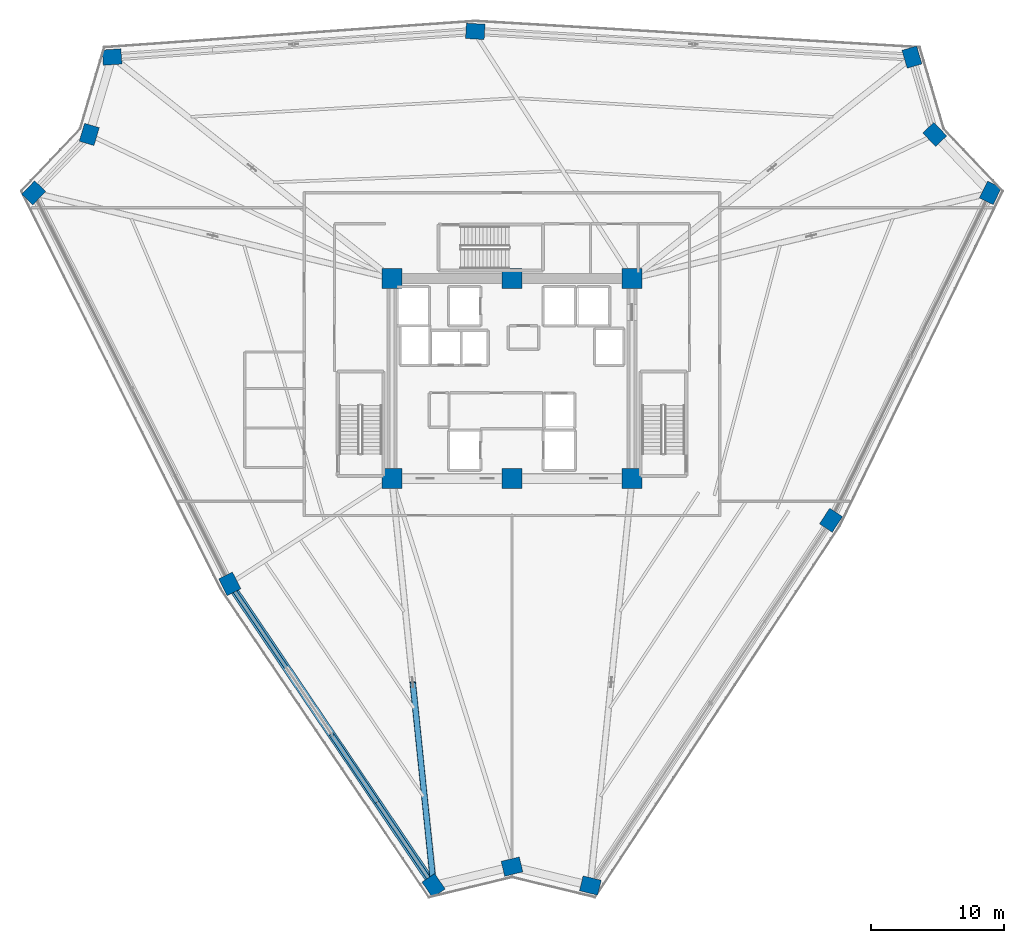
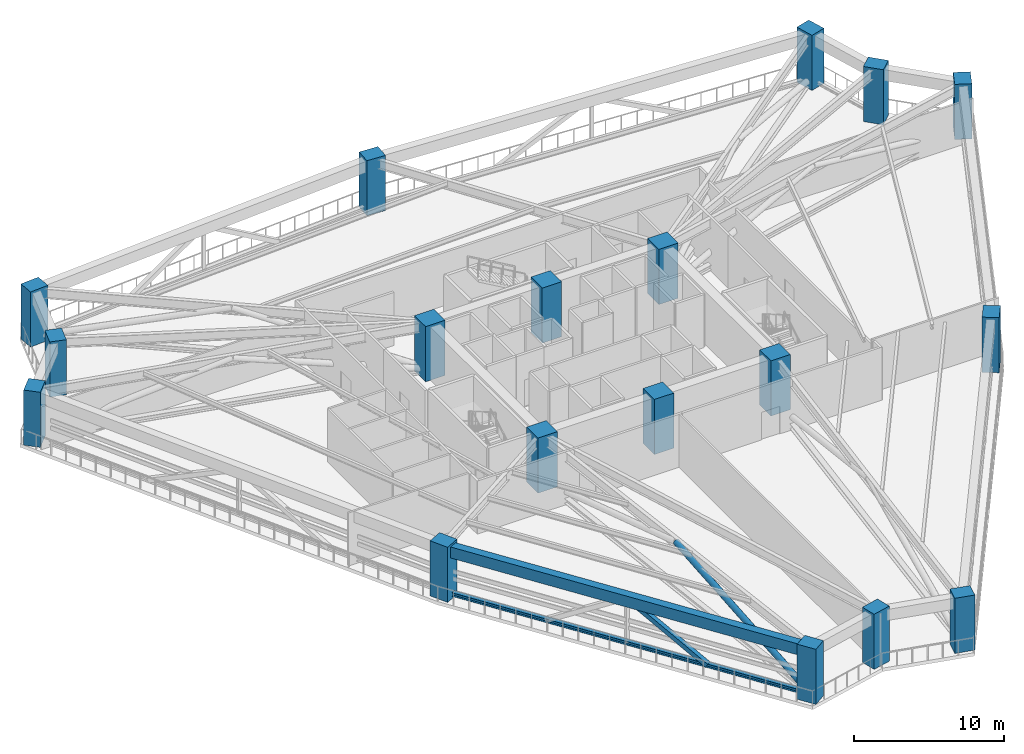
# One storey, part 1 of 23: 18 columns, 3 members, 1 beam.
"""IFC4 building model written with IfcOpenShell, lengths in metres."""

from ifc_helpers import new_model, si_unit, direction, frame, origin, origin_2d, place, context, subcontext, project, spatial, rectangle, hollow_rectangle, hollow_circle, i_section, extrude, source, transform, mapped, material, material_profile, profile_set, type_object, element, save


model = new_model("IFC4")

# Units and contexts
model_context = context("Model", 3, precision=1e-05, world=origin(), true_north=direction((0.0, 1.0)))
body_context = subcontext(model_context, "Body", "Model", "MODEL_VIEW")
ifc_project = project(units=[si_unit("LENGTHUNIT", "METRE"), si_unit("AREAUNIT", "SQUARE_METRE"), si_unit("VOLUMEUNIT", "CUBIC_METRE"), si_unit("PLANEANGLEUNIT", "RADIAN"), si_unit("MASSUNIT", "GRAM", prefix="KILO")], contexts=[model_context])

# Site, building, storey
site_placement = place(None, origin())
site = spatial("IfcSite", under=ifc_project, at=site_placement, CompositionType="ELEMENT")
building_placement = place(site_placement, origin())
building = spatial("IfcBuilding", under=site, at=building_placement, Name="Liaohun Quay Tower", CompositionType="ELEMENT")
storey_placement = place(building_placement, frame((0.0, 0.0, 139.5)))
storey = spatial("IfcBuildingStorey", under=building, at=storey_placement, Name="L36", CompositionType="ELEMENT", Elevation=139.5)

# Columns
ifc_material_1 = material(Name="Concrete C60", Category="concrete")
ifc_material_profile_1 = material_profile(ifc_material_1, rectangle(XDim=1.5, YDim=1.5, at=origin_2d()), Name="RC1500x1500")
ifc_profile_set_1 = profile_set([ifc_material_profile_1], Name="Concrete C60")
column_type_1 = type_object("IfcColumnType", Name="COL-CC-Z2", PredefinedType="COLUMN", material=ifc_profile_set_1)
shared_shape_1 = source(origin(), body_context, "Body", "SweptSolid", [
    extrude(rectangle(XDim=1.5, YDim=1.5, at=origin_2d()), origin(), (0.0, 0.0, 1.0), 4.5),
])
for number, where, z_axis, x_axis, name in (
    (1, (51.0, 46.5, 0.0), (0.0, 0.0, 1.0), (1.0, 0.0, 0.0), "L36 Core Column CC1"),
    (2, (60.0, 46.5, 0.0), (0.0, 0.0, 1.0), (1.0, 0.0, 0.0), "L36 Core Column CC2"),
    (3, (69.0, 46.5, 0.0), (0.0, 0.0, 1.0), (1.0, 0.0, 0.0), "L36 Core Column CC3"),
    (4, (69.0, 61.5, 0.0), (0.0, 0.0, 1.0), (1.0, 0.0, 0.0), "L36 Core Column CC4"),
    (5, (60.0, 61.5, 0.0), (0.0, 0.0, 1.0), (1.0, 0.0, 0.0), "L36 Core Column CC5"),
    (6, (51.0, 61.5, 0.0), (0.0, 0.0, 1.0), (1.0, 0.0, 0.0), "L36 Core Column CC6"),
):
    element("IfcColumn", number, at=place(storey_placement, frame(where, z_axis=z_axis, x_axis=x_axis)), inside=storey, type_object=column_type_1, Name=name, PredefinedType="COLUMN", context=body_context, shape_type="MappedRepresentation", body=[
        mapped(shared_shape_1, transform((0.0, 0.0, 0.0), x_axis=(1.0, 0.0, 0.0), y_axis=(0.0, 1.0, 0.0), z_axis=(0.0, 0.0, 1.0), scale=1.0)),
    ])
ifc_material_profile_2 = material_profile(ifc_material_1, rectangle(XDim=1.39990234375, YDim=1.14990234375, at=origin_2d()), Name="RC1400x1150")
ifc_profile_set_2 = profile_set([ifc_material_profile_2], Name="Concrete C60")
column_type_2 = type_object("IfcColumnType", Name="COL-PIER-Z2", PredefinedType="COLUMN", material=ifc_profile_set_2)
shared_shape_2 = source(origin(), body_context, "Body", "SweptSolid", [
    extrude(rectangle(XDim=1.39990234375, YDim=1.14990234375, at=origin_2d()), origin(), (0.0, 0.0, 1.0), 4.5),
])
for number, where, z_axis, x_axis, name in (
    (7, (54.123046875, 16.014892578125, 0.0), (0.0, 0.0, 1.0), (-0.559771544562, 0.828646980263, 0.0), "L36 Perimeter Pier PC01"),
    (8, (38.85400390625, 38.616943359375, 0.0), (0.0, 0.0, 1.0), (-0.448071179262, 0.893997884961, 0.0), "L36 Perimeter Pier PC02"),
    (9, (24.1708984375, 67.908935546875, 0.0), (0.0, 0.0, 1.0), (0.68936671806, 0.724412539946, 0.0), "L36 Perimeter Pier PC03"),
    (10, (28.3330078125, 72.282958984375, 0.0), (0.0, 0.0, 1.0), (0.282676303383, 0.959215360337, 0.0), "L36 Perimeter Pier PC04"),
    (11, (30.04296875, 78.08203125, 0.0), (0.0, 0.0, 1.0), (0.997515107958, 0.070452887775, 0.0), "L36 Perimeter Pier PC05"),
    (12, (57.25, 80.00390625, 0.0), (0.0, 0.0, 1.0), (-0.998260468937, 0.058957918535, 0.0), "L36 Perimeter Pier PC06"),
    (13, (89.9599609375, 78.074951171875, 0.0), (0.0, 0.0, 1.0), (-0.282676303383, 0.959215360337, 0.0), "L36 Perimeter Pier PC07"),
    (14, (91.6669921875, 72.282958984375, 0.0), (0.0, 0.0, 1.0), (-0.68936671806, 0.724412539946, 0.0), "L36 Perimeter Pier PC08"),
    (15, (95.833984375, 67.903076171875, 0.0), (0.0, 0.0, 1.0), (0.437743563395, 0.899099868038, 0.0), "L36 Perimeter Pier PC09"),
    (16, (83.89501953125, 43.3798828125, 0.0), (0.0, 0.0, 1.0), (0.550043539327, 0.835135979853, 0.0), "L36 Perimeter Pier PC10"),
    (17, (65.8701171875, 16.01708984375, 0.0), (0.0, 0.0, 1.0), (-0.972043021443, 0.234802820391, 0.0), "L36 Perimeter Pier PC11"),
    (18, (60.0, 17.43408203125, 0.0), (0.0, 0.0, 1.0), (0.972043021443, 0.234802820391, 0.0), "L36 Perimeter Pier PC12"),
):
    element("IfcColumn", number, at=place(storey_placement, frame(where, z_axis=z_axis, x_axis=x_axis)), inside=storey, type_object=column_type_2, Name=name, PredefinedType="COLUMN", context=body_context, shape_type="MappedRepresentation", body=[
        mapped(shared_shape_2, transform((0.0, 0.0, 0.0), x_axis=(1.0, 0.0, 0.0), y_axis=(0.0, 1.0, 0.0), z_axis=(0.0, 0.0, 1.0), scale=1.0)),
    ])

# Beam
ifc_material_2 = material(Name="Precast concrete C55", Category="concrete")
ifc_material_profile_3 = material_profile(ifc_material_2, rectangle(XDim=0.60009765625, YDim=0.89990234375, at=origin_2d()), Name="RC600x900")
ifc_profile_set_3 = profile_set([ifc_material_profile_3], Name="Precast concrete C55")
beam_type = type_object("IfcBeamType", Name="BM-SPD-Z2", PredefinedType="SPANDREL", material=ifc_profile_set_3)
shared_shape_3 = source(origin(), body_context, "Body", "SweptSolid", [
    extrude(rectangle(XDim=0.60009765625, YDim=0.89990234375, at=origin_2d()), origin(), (0.0, 0.0, 1.0), 27.2763671875),
])
beam_placement = place(storey_placement, frame((54.123046875, 16.014892578125, 3.8701171875), z_axis=(-0.559791639733, 0.828633405123, 0.0), x_axis=(-0.828633405123, -0.559791639733, 0.0)))
element("IfcBeam", 19, at=beam_placement, inside=storey, type_object=beam_type, Name="L36 Precast Spandrel Beam PC01-PC02", PredefinedType="SPANDREL", context=body_context, shape_type="MappedRepresentation", body=[
    mapped(shared_shape_3, transform((0.0, 0.0, 0.0), x_axis=(1.0, 0.0, 0.0), y_axis=(0.0, 1.0, 0.0), z_axis=(0.0, 0.0, 1.0), scale=1.0)),
])

# Members
ifc_material_3 = material(Name="Steel Q420D", Category="steel")
ifc_material_profile_4 = material_profile(ifc_material_3, hollow_circle(Radius=0.228515625, WallThickness=0.02001953125, at=origin_2d()), Name="CHS457x20")
ifc_profile_set_4 = profile_set([ifc_material_profile_4], Name="Steel Q420D")
member_type_1 = type_object("IfcMemberType", Name="MEM-OUT-DG1", PredefinedType="BRACE", material=ifc_profile_set_4)
shared_shape_4 = source(origin(), body_context, "Body", "SweptSolid", [
    extrude(hollow_circle(Radius=0.228515625, WallThickness=0.02001953125, at=origin_2d()), origin(), (0.0, 0.0, 1.0), 15.75634765625),
])
member_1_placement = place(storey_placement, frame((52.56103515625, 31.258056640625, 4.02001953125), z_axis=(0.099135439752, -0.967430496461, -0.232917150727), x_axis=(0.994790639815, 0.101939113869, 0.0)))
element("IfcMember", 20, at=member_1_placement, inside=storey, type_object=member_type_1, Name="L36 Outrigger Diagonal OD-01B", PredefinedType="BRACE", context=body_context, shape_type="MappedRepresentation", body=[
    mapped(shared_shape_4, transform((0.0, 0.0, 0.0), x_axis=(1.0, 0.0, 0.0), y_axis=(0.0, 1.0, 0.0), z_axis=(0.0, 0.0, 1.0), scale=1.0)),
])
ifc_material_4 = material(Name="Steel Q355D", Category="steel")
ifc_material_profile_5 = material_profile(ifc_material_4, i_section(OverallWidth=0.300048828125, OverallDepth=0.300048828125, WebThickness=0.010009765625, FlangeThickness=0.014892578125, at=origin_2d()), Name="HW300x300x10x15")
ifc_profile_set_5 = profile_set([ifc_material_profile_5], Name="Steel Q355D")
member_type_2 = type_object("IfcMemberType", Name="MEM-BLT-CHD", PredefinedType="CHORD", material=ifc_profile_set_5)
shared_shape_5 = source(origin(), body_context, "Body", "SweptSolid", [
    extrude(i_section(OverallWidth=0.300048828125, OverallDepth=0.300048828125, WebThickness=0.010009765625, FlangeThickness=0.014892578125, at=origin_2d()), origin(), (0.0, 0.0, 1.0), 27.2763671875),
])
member_2_placement = place(storey_placement, frame((54.123046875, 16.014892578125, 0.35009765625), z_axis=(-0.559791639733, 0.828633405123, 0.0), x_axis=(-0.828633405123, -0.559791639733, 0.0)))
element("IfcMember", 21, at=member_2_placement, inside=storey, type_object=member_type_2, Name="L36 Belt Truss Bottom Chord BC-1-01", PredefinedType="CHORD", context=body_context, shape_type="MappedRepresentation", body=[
    mapped(shared_shape_5, transform((0.0, 0.0, 0.0), x_axis=(1.0, 0.0, 0.0), y_axis=(0.0, 1.0, 0.0), z_axis=(0.0, 0.0, 1.0), scale=1.0)),
])
ifc_material_profile_6 = material_profile(ifc_material_4, hollow_rectangle(XDim=0.35009765625, YDim=0.35009765625, WallThickness=0.01611328125, at=origin_2d()), Name="SHS350x350x16")
ifc_profile_set_6 = profile_set([ifc_material_profile_6], Name="Steel Q355D")
member_type_3 = type_object("IfcMemberType", Name="MEM-BLT-DG2", PredefinedType="BRACE", material=ifc_profile_set_6)
shared_shape_6 = source(origin(), body_context, "Body", "SweptSolid", [
    extrude(hollow_rectangle(XDim=0.35009765625, YDim=0.35009765625, WallThickness=0.01611328125, at=origin_2d()), origin(), (0.0, 0.0, 1.0), 7.033447265625),
])
member_3_placement = place(storey_placement, frame((49.847900390625, 22.343994140625, 0.35009765625), z_axis=(-0.477553822076, 0.706889343406, 0.521775625341), x_axis=(-0.828629267728, -0.559797764076, 0.0)))
element("IfcMember", 22, at=member_3_placement, inside=storey, type_object=member_type_3, Name="L36 Belt Truss Diagonal BD-01A", PredefinedType="BRACE", context=body_context, shape_type="MappedRepresentation", body=[
    mapped(shared_shape_6, transform((0.0, 0.0, 0.0), x_axis=(1.0, 0.0, 0.0), y_axis=(0.0, 1.0, 0.0), z_axis=(0.0, 0.0, 1.0), scale=1.0)),
])

save(model, "model.ifc")
